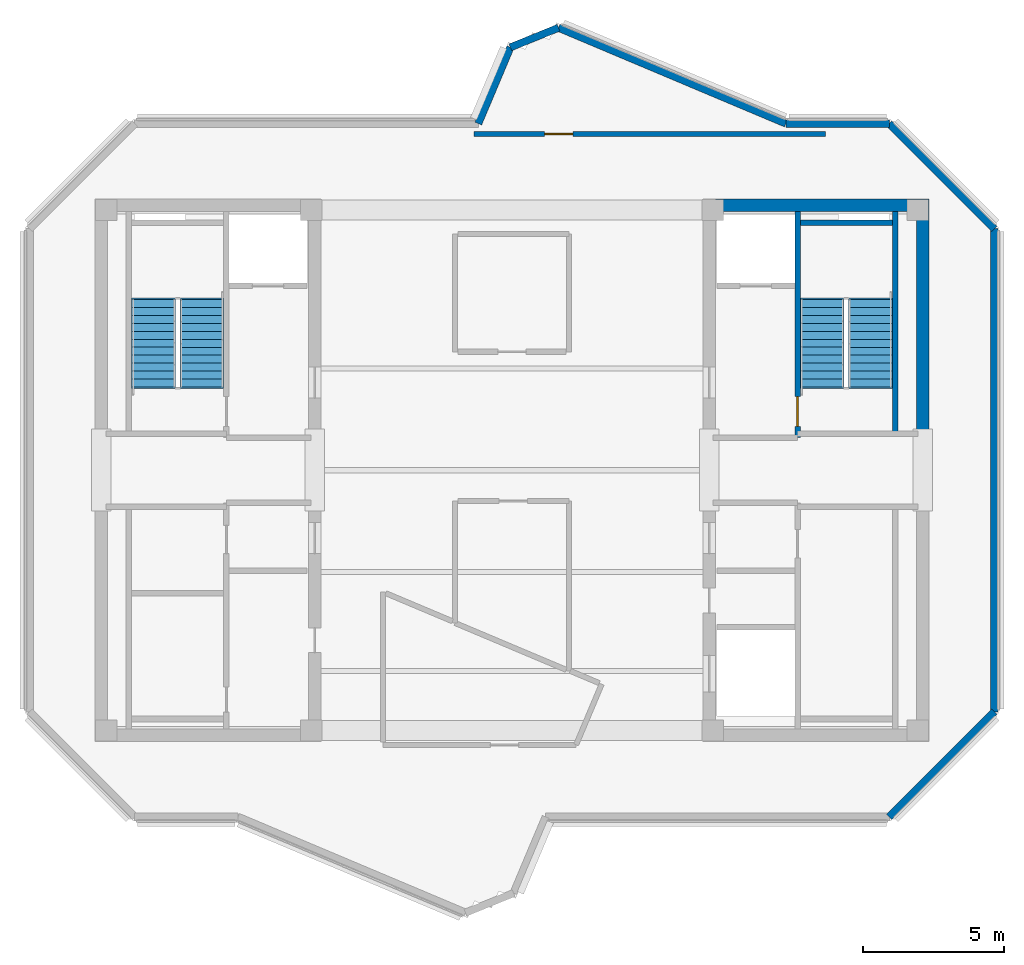
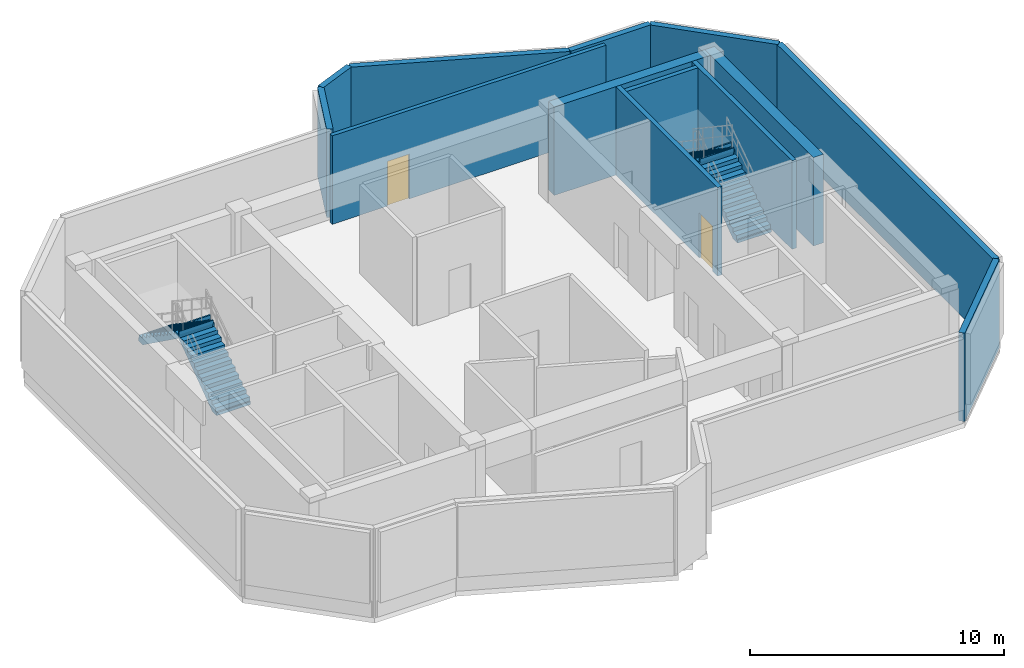
# One storey, part 3 of 5: 13 walls, 4 stair flights, 2 doors, 2 openings, 2 elements without a shape of their own.
"""IFC4 building model written with IfcOpenShell, lengths in metres."""

from ifc_helpers import new_model, si_unit, direction, frame, frame_2d, origin, place, context, subcontext, project, spatial, polyline, rectangle, outline, extrude, source, transform, mapped, material, layer, layer_set, type_object, element, fill, aggregate, save


model = new_model("IFC4")

# Units and contexts
model_context = context("Model", 3, precision=1e-05, world=origin(), true_north=direction((0.0, 1.0)))
body_context = subcontext(model_context, "Body", "Model", "MODEL_VIEW")
ifc_project = project(units=[si_unit("LENGTHUNIT", "METRE"), si_unit("AREAUNIT", "SQUARE_METRE"), si_unit("VOLUMEUNIT", "CUBIC_METRE"), si_unit("PLANEANGLEUNIT", "RADIAN"), si_unit("MASSUNIT", "GRAM", prefix="KILO")], contexts=[model_context])

# Site, building, storey
site_placement = place(None, origin())
site = spatial("IfcSite", under=ifc_project, at=site_placement, CompositionType="ELEMENT")
building_placement = place(site_placement, origin())
building = spatial("IfcBuilding", under=site, at=building_placement, Name="Zahravan Cultural Tower", CompositionType="ELEMENT")
storey_placement = place(building_placement, frame((0.0, 0.0, 375.14990234375)))
storey = spatial("IfcBuildingStorey", under=building, at=storey_placement, Name="L91", CompositionType="ELEMENT", Elevation=375.14990234375)

# Wall, opening, door
ifc_material_1 = material(Name="Gypsum plasterboard partition")
ifc_layer_1 = layer(ifc_material_1, 0.179931640625)
ifc_layer_set_1 = layer_set([ifc_layer_1], Name="Gypsum plasterboard partition")
wall_type_1 = type_object("IfcWallType", Name="W-COMP-180", PredefinedType="PARTITIONING", material=ifc_layer_set_1)
wall_1_placement = place(storey_placement, frame((47.07861328125, 38.89111328125, 0.0), z_axis=(0.0, 0.0, 1.0), x_axis=(-0.999999995176, -9.8227967e-05, 0.0)))
wall_1 = element("IfcWall", 1, at=wall_1_placement, inside=storey, type_object=wall_type_1, Name="L91 Interior Wall 035", PredefinedType="PARTITIONING", context=body_context, shape_type="SweptSolid", body=[
    extrude(rectangle(XDim=12.42724609375, YDim=0.179931640625, at=frame_2d((6.213623046875, 0.0))), origin(), (0.0, 0.0, 1.0), 4.25),
])
opening_1_placement = place(wall_1_placement, frame((8.92724609375, 0.0, 0.0)))
opening_1 = element("IfcOpeningElement", 2, at=opening_1_placement, cuts=wall_1, Name="Opening D-L91-13", PredefinedType="OPENING", context=body_context, shape_type="SweptSolid", body=[
    extrude(rectangle(XDim=1.0, YDim=2.14990234375, at=frame_2d((0.5, 1.074951171875))), frame((0.0, 0.099853515625, 0.0), z_axis=(0.0, -1.0, 0.0), x_axis=(1.0, 0.0, 0.0)), (0.0, 0.0, 1.0), 0.199951171875),
])
ifc_material_2 = material(Name="Steel ASTM A572 Grade 50", Category="steel")
door_type_1 = type_object("IfcDoorType", Name="DR-COMP-1000", OperationType="NOTDEFINED", PredefinedType="DOOR", material=ifc_material_2)
shared_shape_1 = source(origin(), body_context, "Body", "SweptSolid", [
    extrude(rectangle(XDim=1.0, YDim=2.14990234375, at=frame_2d((0.5, 1.074951171875))), frame((0.0, 0.02490234375, 0.0), z_axis=(0.0, -1.0, 0.0), x_axis=(1.0, 0.0, 0.0)), (0.0, 0.0, 1.0), 0.050048828125),
])
door_1_placement = place(opening_1_placement, origin())
door_1 = element("IfcDoor", 3, at=door_1_placement, inside=storey, type_object=door_type_1, Name="L91 Door D-L91-13", OperationType="SINGLE_SWING_RIGHT", OverallHeight=2.14990234375, OverallWidth=1.0, PredefinedType="DOOR", context=body_context, shape_type="MappedRepresentation", body=[
    mapped(shared_shape_1, transform((0.0, 0.0, 0.0), x_axis=(1.0, 0.0, 0.0), y_axis=(0.0, 1.0, 0.0), z_axis=(0.0, 0.0, 1.0), scale=1.0)),
])
fill(opening_1, door_1)

ifc_material_3 = material(Name="Concrete C45/55", Category="concrete")
ifc_layer_2 = layer(ifc_material_3, 0.199951171875)
ifc_layer_set_2 = layer_set([ifc_layer_2], Name="Concrete C45/55")
wall_type_2 = type_object("IfcWallType", Name="W-SHAFT-200", PredefinedType="SOLIDWALL", material=ifc_layer_set_2)
wall_2_placement = place(storey_placement, frame((46.10009765625, 28.14990234375, 0.0), z_axis=(0.0, 0.0, 1.0), x_axis=(0.0, 1.0, 0.0)))
wall_2 = element("IfcWall", 4, at=wall_2_placement, inside=storey, type_object=wall_type_2, Name="L91 Interior Wall 008", PredefinedType="SOLIDWALL", context=body_context, shape_type="SweptSolid", body=[
    extrude(rectangle(XDim=8.0, YDim=0.199951171875, at=frame_2d((4.0, 0.0))), origin(), (0.0, 0.0, 1.0), 4.25),
])
opening_2_placement = place(wall_2_placement, frame((0.39990234375, 0.0, 0.0)))
opening_2 = element("IfcOpeningElement", 5, at=opening_2_placement, cuts=wall_2, Name="Opening D-L91-02", PredefinedType="OPENING", context=body_context, shape_type="SweptSolid", body=[
    extrude(rectangle(XDim=1.050048828125, YDim=2.14990234375, at=frame_2d((0.52490234375, 1.074951171875))), frame((0.0, 0.10986328125, 0.0), z_axis=(0.0, -1.0, 0.0), x_axis=(1.0, 0.0, 0.0)), (0.0, 0.0, 1.0), 0.219970703125),
])
door_type_2 = type_object("IfcDoorType", Name="DR-STAIR-1050", OperationType="NOTDEFINED", PredefinedType="DOOR", material=ifc_material_2)
shared_shape_2 = source(origin(), body_context, "Body", "SweptSolid", [
    extrude(rectangle(XDim=1.050048828125, YDim=2.14990234375, at=frame_2d((0.52490234375, 1.074951171875))), frame((0.0, 0.02490234375, 0.0), z_axis=(0.0, -1.0, 0.0), x_axis=(1.0, 0.0, 0.0)), (0.0, 0.0, 1.0), 0.050048828125),
])
door_2_placement = place(opening_2_placement, origin())
door_2 = element("IfcDoor", 6, at=door_2_placement, inside=storey, type_object=door_type_2, Name="L91 Door D-L91-02", OperationType="SINGLE_SWING_LEFT", OverallHeight=2.14990234375, OverallWidth=1.050048828125, PredefinedType="DOOR", context=body_context, shape_type="MappedRepresentation", body=[
    mapped(shared_shape_2, transform((0.0, 0.0, 0.0), x_axis=(1.0, 0.0, 0.0), y_axis=(0.0, 1.0, 0.0), z_axis=(0.0, 0.0, 1.0), scale=1.0)),
])
fill(opening_2, door_2)

# Walls
ifc_material_4 = material(Name="Concrete C50/60", Category="concrete")
ifc_layer_3 = layer(ifc_material_4, 0.449951171875)
ifc_layer_set_3 = layer_set([ifc_layer_3], Name="Concrete C50/60")
wall_type_3 = type_object("IfcWallType", Name="CW-SHEAR-450-C50", PredefinedType="SHEAR", material=ifc_layer_set_3)
shared_shape_3 = source(origin(), body_context, "Body", "SweptSolid", [
    extrude(rectangle(XDim=8.550048828125, YDim=0.449951171875, at=frame_2d((4.27490234375, 0.0))), origin(), (0.0, 0.0, 1.0), 4.25),
])
wall_3_placement = place(storey_placement, frame((50.52490234375, 28.050048828125, 0.0), z_axis=(0.0, 0.0, 1.0), x_axis=(0.0, 1.0, 0.0)))
element("IfcWall", 7, at=wall_3_placement, inside=storey, type_object=wall_type_3, Name="L91 Core Shear Wall CW-E-EN-L91", PredefinedType="SHEAR", context=body_context, shape_type="MappedRepresentation", body=[
    mapped(shared_shape_3, transform((0.0, 0.0, 0.0), x_axis=(1.0, 0.0, 0.0), y_axis=(0.0, 1.0, 0.0), z_axis=(0.0, 0.0, 1.0), scale=1.0)),
])
shared_shape_4 = source(origin(), body_context, "Body", "SweptSolid", [
    extrude(rectangle(XDim=7.10009765625, YDim=0.449951171875, at=frame_2d((3.550048828125, 0.0))), origin(), (0.0, 0.0, 1.0), 4.25),
])
wall_4_placement = place(storey_placement, frame((43.199951171875, 36.375, 0.0), z_axis=(0.0, 0.0, 1.0), x_axis=(1.0, 0.0, 0.0)))
element("IfcWall", 8, at=wall_4_placement, inside=storey, type_object=wall_type_3, Name="L91 Core Shear Wall CW-E-N-L91", PredefinedType="SHEAR", context=body_context, shape_type="MappedRepresentation", body=[
    mapped(shared_shape_4, transform((0.0, 0.0, 0.0), x_axis=(1.0, 0.0, 0.0), y_axis=(0.0, 1.0, 0.0), z_axis=(0.0, 0.0, 1.0), scale=1.0)),
])
ifc_material_5 = material(Name="Precast concrete C40/50", Category="concrete")
ifc_layer_4 = layer(ifc_material_5, 0.260009765625)
ifc_layer_set_4 = layer_set([ifc_layer_4], Name="Precast concrete C40/50")
wall_type_4 = type_object("IfcWallType", Name="EW-CROWN-260", PredefinedType="SOLIDWALL", material=ifc_layer_set_4)
shared_shape_5 = source(origin(), body_context, "Body", "SweptSolid", [
    extrude(rectangle(XDim=2.92529296875, YDim=0.260009765625, at=frame_2d((1.462646484375, 0.0))), origin(), (0.0, 0.0, 1.0), 4.25),
])
wall_5_placement = place(storey_placement, frame((34.80712890625, 39.260009765625, 0.0), z_axis=(0.0, 0.0, 1.0), x_axis=(0.388321883953, 0.921523800259, 0.0)))
element("IfcWall", 9, at=wall_5_placement, inside=storey, type_object=wall_type_4, Name="L91 Exterior Masonry Frame Wall 01", PredefinedType="SOLIDWALL", context=body_context, shape_type="MappedRepresentation", body=[
    mapped(shared_shape_5, transform((0.0, 0.0, 0.0), x_axis=(1.0, 0.0, 0.0), y_axis=(0.0, 1.0, 0.0), z_axis=(0.0, 0.0, 1.0), scale=1.0)),
])
shared_shape_6 = source(origin(), body_context, "Body", "SweptSolid", [
    extrude(rectangle(XDim=1.838623046875, YDim=0.260009765625, at=frame_2d((0.91943359375, 0.0))), origin(), (0.0, 0.0, 1.0), 4.25),
])
wall_6_placement = place(storey_placement, frame((35.943115234375, 41.955810546875, 0.0), z_axis=(0.0, 0.0, 1.0), x_axis=(0.926216039781, 0.376993166586, 0.0)))
element("IfcWall", 10, at=wall_6_placement, inside=storey, type_object=wall_type_4, Name="L91 Exterior Masonry Frame Wall 02", PredefinedType="SOLIDWALL", context=body_context, shape_type="MappedRepresentation", body=[
    mapped(shared_shape_6, transform((0.0, 0.0, 0.0), x_axis=(1.0, 0.0, 0.0), y_axis=(0.0, 1.0, 0.0), z_axis=(0.0, 0.0, 1.0), scale=1.0)),
])
shared_shape_7 = source(origin(), body_context, "Body", "SweptSolid", [
    extrude(rectangle(XDim=8.72705078125, YDim=0.260009765625, at=frame_2d((4.363525390625, 0.0))), origin(), (0.0, 0.0, 1.0), 4.25),
])
wall_7_placement = place(storey_placement, frame((37.64599609375, 42.64892578125, 0.0), z_axis=(0.0, 0.0, 1.0), x_axis=(0.921524227272, -0.38832087061, 0.0)))
element("IfcWall", 11, at=wall_7_placement, inside=storey, type_object=wall_type_4, Name="L91 Exterior Masonry Frame Wall 03", PredefinedType="SOLIDWALL", context=body_context, shape_type="MappedRepresentation", body=[
    mapped(shared_shape_7, transform((0.0, 0.0, 0.0), x_axis=(1.0, 0.0, 0.0), y_axis=(0.0, 1.0, 0.0), z_axis=(0.0, 0.0, 1.0), scale=1.0)),
])
shared_shape_8 = source(origin(), body_context, "Body", "SweptSolid", [
    extrude(rectangle(XDim=3.65380859375, YDim=0.260009765625, at=frame_2d((1.826904296875, 0.0))), origin(), (0.0, 0.0, 1.0), 4.25),
])
wall_8_placement = place(storey_placement, frame((45.688232421875, 39.260009765625, 0.0), z_axis=(0.0, 0.0, 1.0), x_axis=(1.0, 0.0, 0.0)))
element("IfcWall", 12, at=wall_8_placement, inside=storey, type_object=wall_type_4, Name="L91 Exterior Masonry Frame Wall 04", PredefinedType="SOLIDWALL", context=body_context, shape_type="MappedRepresentation", body=[
    mapped(shared_shape_8, transform((0.0, 0.0, 0.0), x_axis=(1.0, 0.0, 0.0), y_axis=(0.0, 1.0, 0.0), z_axis=(0.0, 0.0, 1.0), scale=1.0)),
])
shared_shape_9 = source(origin(), body_context, "Body", "SweptSolid", [
    extrude(rectangle(XDim=5.258056640625, YDim=0.260009765625, at=frame_2d((2.62890625, 0.0))), origin(), (0.0, 0.0, 1.0), 4.25),
])
for number, where, z_axis, x_axis, name in (
    (13, (49.342041015625, 39.260009765625, 0.0), (0.0, 0.0, 1.0), (0.707106781187, -0.707106781187, 0.0), "L91 Exterior Masonry Frame Wall 05"),
    (14, (53.06005859375, 18.4580078125, 0.0), (0.0, 0.0, 1.0), (-0.707106781187, -0.707106781187, 0.0), "L91 Exterior Masonry Frame Wall 07"),
):
    element("IfcWall", number, at=place(storey_placement, frame(where, z_axis=z_axis, x_axis=x_axis)), inside=storey, type_object=wall_type_4, Name=name, PredefinedType="SOLIDWALL", context=body_context, shape_type="MappedRepresentation", body=[
        mapped(shared_shape_9, transform((0.0, 0.0, 0.0), x_axis=(1.0, 0.0, 0.0), y_axis=(0.0, 1.0, 0.0), z_axis=(0.0, 0.0, 1.0), scale=1.0)),
    ])
shared_shape_10 = source(origin(), body_context, "Body", "SweptSolid", [
    extrude(rectangle(XDim=17.083984375, YDim=0.260009765625, at=frame_2d((8.5419921875, 0.0))), origin(), (0.0, 0.0, 1.0), 4.25),
])
wall_9_placement = place(storey_placement, frame((53.06005859375, 35.5419921875, 0.0), z_axis=(0.0, 0.0, 1.0), x_axis=(0.0, -1.0, 0.0)))
element("IfcWall", 15, at=wall_9_placement, inside=storey, type_object=wall_type_4, Name="L91 Exterior Masonry Frame Wall 06", PredefinedType="SOLIDWALL", context=body_context, shape_type="MappedRepresentation", body=[
    mapped(shared_shape_10, transform((0.0, 0.0, 0.0), x_axis=(1.0, 0.0, 0.0), y_axis=(0.0, 1.0, 0.0), z_axis=(0.0, 0.0, 1.0), scale=1.0)),
])
shared_shape_11 = source(origin(), body_context, "Body", "SweptSolid", [
    extrude(rectangle(XDim=7.869873046875, YDim=0.199951171875, at=frame_2d((3.93505859375, 0.0))), origin(), (0.0, 0.0, 1.0), 4.25),
])
wall_10_placement = place(storey_placement, frame((49.550048828125, 28.280029296875, 0.0), z_axis=(0.0, 0.0, 1.0), x_axis=(0.0, 1.0, 0.0)))
element("IfcWall", 16, at=wall_10_placement, inside=storey, type_object=wall_type_2, Name="L91 Interior Wall 004", PredefinedType="SOLIDWALL", context=body_context, shape_type="MappedRepresentation", body=[
    mapped(shared_shape_11, transform((0.0, 0.0, 0.0), x_axis=(1.0, 0.0, 0.0), y_axis=(0.0, 1.0, 0.0), z_axis=(0.0, 0.0, 1.0), scale=1.0)),
])
shared_shape_12 = source(origin(), body_context, "Body", "SweptSolid", [
    extrude(rectangle(XDim=3.25, YDim=0.199951171875, at=frame_2d((1.625, 0.0))), origin(), (0.0, 0.0, 1.0), 4.25),
])
wall_11_placement = place(storey_placement, frame((46.199951171875, 35.75, 0.0), z_axis=(0.0, 0.0, 1.0), x_axis=(1.0, 0.0, 0.0)))
element("IfcWall", 17, at=wall_11_placement, inside=storey, type_object=wall_type_2, Name="L91 Interior Wall 018", PredefinedType="SOLIDWALL", context=body_context, shape_type="MappedRepresentation", body=[
    mapped(shared_shape_12, transform((0.0, 0.0, 0.0), x_axis=(1.0, 0.0, 0.0), y_axis=(0.0, 1.0, 0.0), z_axis=(0.0, 0.0, 1.0), scale=1.0)),
])

# Stair, stair flights
stair_type = type_object("IfcStairType", Name="STR-DL-1550-450", PredefinedType="HALF_TURN_STAIR", material=ifc_material_3)
stair_1_placement = place(storey_placement, origin())
stair_1 = element("IfcStair", 18, at=stair_1_placement, inside=storey, type_object=stair_type, Name="L91 West Core North Exit Stair ST-W1", PredefinedType="HALF_TURN_STAIR")
stair_flight_type = type_object("IfcStairFlightType", Name="FLG-DL-1550-450", PredefinedType="STRAIGHT", material=ifc_material_3)
stair_flight_1_placement = place(storey_placement, frame((25.02490234375, 29.949951171875, 0.0), z_axis=(0.0, 0.0, 1.0), x_axis=(0.0, 1.0, 0.0)))
stair_flight_1 = element("IfcStairFlight", 19, at=stair_flight_1_placement, type_object=stair_flight_type, Name="ST-W1 flight 1", NumberOfRisers=12, NumberOfTreads=11, PredefinedType="STRAIGHT", RiserHeight=0.1875, TreadLength=0.28, context=body_context, shape_type="SweptSolid", body=[
    extrude(outline(polyline([(-0.06494140625, -0.139892578125), (-0.06494140625, 0.0), (0.0, 0.0), (0.0, 0.1875), (0.280029296875, 0.1875), (0.280029296875, 0.375), (0.56005859375, 0.375), (0.56005859375, 0.5625), (0.840087890625, 0.5625), (0.840087890625, 0.75), (1.1201171875, 0.75), (1.1201171875, 0.9375), (1.39990234375, 0.9375), (1.39990234375, 1.125), (1.679931640625, 1.125), (1.679931640625, 1.3125), (1.9599609375, 1.3125), (1.9599609375, 1.5), (2.239990234375, 1.5), (2.239990234375, 1.6875), (2.52001953125, 1.6875), (2.52001953125, 1.875), (2.800048828125, 1.875), (2.800048828125, 2.0625), (3.080078125, 2.0625), (3.080078125, 2.25), (3.14501953125, 2.25), (3.14501953125, 2.10009765625), (3.080078125, 1.882080078125), (0.26953125, -0.139892578125), (-0.06494140625, -0.139892578125)])), frame((0.0, 0.77490234375, 0.0), z_axis=(0.0, -1.0, 0.0), x_axis=(1.0, 0.0, 0.0)), (0.0, 0.0, 1.0), 1.550048828125),
])
stair_flight_2_placement = place(storey_placement, frame((23.324951171875, 33.030029296875, 2.25), z_axis=(0.0, 0.0, 1.0), x_axis=(0.0, -1.0, 0.0)))
stair_flight_2 = element("IfcStairFlight", 20, at=stair_flight_2_placement, type_object=stair_flight_type, Name="ST-W1 flight 2", NumberOfRisers=12, NumberOfTreads=11, PredefinedType="STRAIGHT", RiserHeight=0.1875, TreadLength=0.28, context=body_context, shape_type="SweptSolid", body=[
    extrude(outline(polyline([(-0.06494140625, -0.139892578125), (-0.06494140625, 0.0), (0.0, 0.0), (0.0, 0.1875), (0.280029296875, 0.1875), (0.280029296875, 0.375), (0.56005859375, 0.375), (0.56005859375, 0.5625), (0.840087890625, 0.5625), (0.840087890625, 0.75), (1.1201171875, 0.75), (1.1201171875, 0.9375), (1.39990234375, 0.9375), (1.39990234375, 1.125), (1.679931640625, 1.125), (1.679931640625, 1.3125), (1.9599609375, 1.3125), (1.9599609375, 1.5), (2.239990234375, 1.5), (2.239990234375, 1.6875), (2.52001953125, 1.6875), (2.52001953125, 1.875), (2.800048828125, 1.875), (2.800048828125, 2.0625), (3.080078125, 2.0625), (3.080078125, 2.25), (3.14501953125, 2.25), (3.14501953125, 2.10009765625), (3.080078125, 1.882080078125), (0.26953125, -0.139892578125), (-0.06494140625, -0.139892578125)])), frame((0.0, 0.77490234375, 0.0), z_axis=(0.0, -1.0, 0.0), x_axis=(1.0, 0.0, 0.0)), (0.0, 0.0, 1.0), 1.550048828125),
])
aggregate(stair_1, [stair_flight_1, stair_flight_2])

stair_2_placement = place(storey_placement, origin())
stair_2 = element("IfcStair", 21, at=stair_2_placement, inside=storey, type_object=stair_type, Name="L91 East Core North Exit Stair ST-E1", PredefinedType="HALF_TURN_STAIR")
stair_flight_3_placement = place(storey_placement, frame((48.675048828125, 29.949951171875, 0.0), z_axis=(0.0, 0.0, 1.0), x_axis=(0.0, 1.0, 0.0)))
stair_flight_3 = element("IfcStairFlight", 22, at=stair_flight_3_placement, type_object=stair_flight_type, Name="ST-E1 flight 1", NumberOfRisers=12, NumberOfTreads=11, PredefinedType="STRAIGHT", RiserHeight=0.1875, TreadLength=0.28, context=body_context, shape_type="SweptSolid", body=[
    extrude(outline(polyline([(-0.06494140625, -0.139892578125), (-0.06494140625, 0.0), (0.0, 0.0), (0.0, 0.1875), (0.280029296875, 0.1875), (0.280029296875, 0.375), (0.56005859375, 0.375), (0.56005859375, 0.5625), (0.840087890625, 0.5625), (0.840087890625, 0.75), (1.1201171875, 0.75), (1.1201171875, 0.9375), (1.39990234375, 0.9375), (1.39990234375, 1.125), (1.679931640625, 1.125), (1.679931640625, 1.3125), (1.9599609375, 1.3125), (1.9599609375, 1.5), (2.239990234375, 1.5), (2.239990234375, 1.6875), (2.52001953125, 1.6875), (2.52001953125, 1.875), (2.800048828125, 1.875), (2.800048828125, 2.0625), (3.080078125, 2.0625), (3.080078125, 2.25), (3.14501953125, 2.25), (3.14501953125, 2.10009765625), (3.080078125, 1.882080078125), (0.26953125, -0.139892578125), (-0.06494140625, -0.139892578125)])), frame((0.0, 0.77490234375, 0.0), z_axis=(0.0, -1.0, 0.0), x_axis=(1.0, 0.0, 0.0)), (0.0, 0.0, 1.0), 1.550048828125),
])
stair_flight_4_placement = place(storey_placement, frame((46.97509765625, 33.030029296875, 2.25), z_axis=(0.0, 0.0, 1.0), x_axis=(0.0, -1.0, 0.0)))
stair_flight_4 = element("IfcStairFlight", 23, at=stair_flight_4_placement, type_object=stair_flight_type, Name="ST-E1 flight 2", NumberOfRisers=12, NumberOfTreads=11, PredefinedType="STRAIGHT", RiserHeight=0.1875, TreadLength=0.28, context=body_context, shape_type="SweptSolid", body=[
    extrude(outline(polyline([(-0.06494140625, -0.139892578125), (-0.06494140625, 0.0), (0.0, 0.0), (0.0, 0.1875), (0.280029296875, 0.1875), (0.280029296875, 0.375), (0.56005859375, 0.375), (0.56005859375, 0.5625), (0.840087890625, 0.5625), (0.840087890625, 0.75), (1.1201171875, 0.75), (1.1201171875, 0.9375), (1.39990234375, 0.9375), (1.39990234375, 1.125), (1.679931640625, 1.125), (1.679931640625, 1.3125), (1.9599609375, 1.3125), (1.9599609375, 1.5), (2.239990234375, 1.5), (2.239990234375, 1.6875), (2.52001953125, 1.6875), (2.52001953125, 1.875), (2.800048828125, 1.875), (2.800048828125, 2.0625), (3.080078125, 2.0625), (3.080078125, 2.25), (3.14501953125, 2.25), (3.14501953125, 2.10009765625), (3.080078125, 1.882080078125), (0.26953125, -0.139892578125), (-0.06494140625, -0.139892578125)])), frame((0.0, 0.77490234375, 0.0), z_axis=(0.0, -1.0, 0.0), x_axis=(1.0, 0.0, 0.0)), (0.0, 0.0, 1.0), 1.550048828125),
])
aggregate(stair_2, [stair_flight_3, stair_flight_4])

save(model, "model.ifc")
